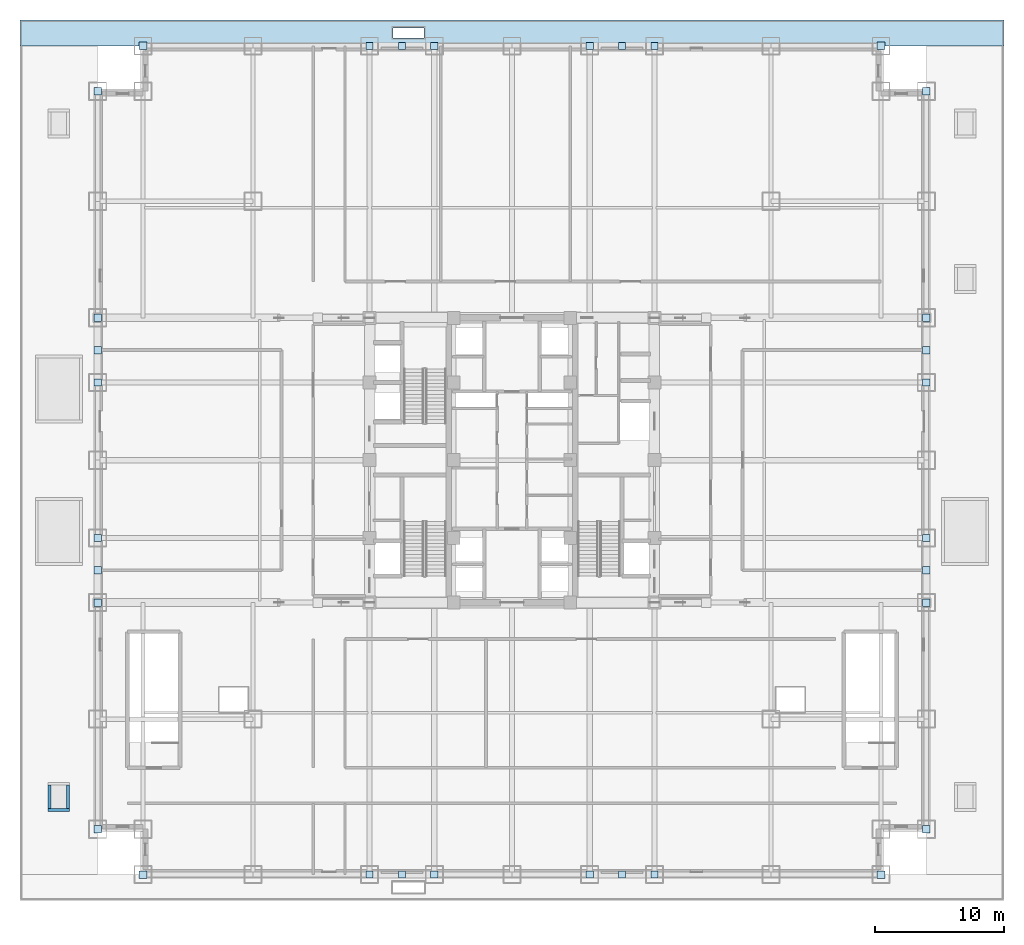
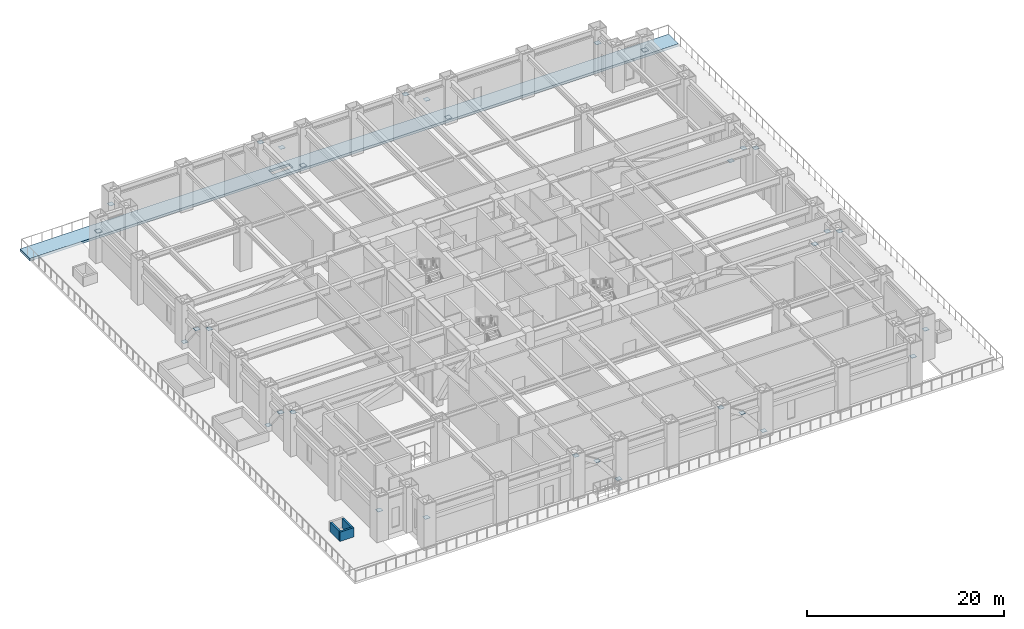
# One storey, part 10 of 21: 32 plates, 3 walls, 1 slab.
"""IFC4 building model written with IfcOpenShell, lengths in metres."""

from ifc_helpers import new_model, si_unit, direction, frame, frame_2d, origin, origin_2d, place, context, subcontext, project, spatial, polyline, rectangle, outline, extrude, source, transform, mapped, material, layer, layer_set, type_object, element, save


model = new_model("IFC4")

# Units and contexts
model_context = context("Model", 3, precision=1e-05, world=origin(), true_north=direction((0.0, 1.0)))
body_context = subcontext(model_context, "Body", "Model", "MODEL_VIEW")
ifc_project = project(units=[si_unit("LENGTHUNIT", "METRE"), si_unit("AREAUNIT", "SQUARE_METRE"), si_unit("VOLUMEUNIT", "CUBIC_METRE"), si_unit("PLANEANGLEUNIT", "RADIAN"), si_unit("MASSUNIT", "GRAM", prefix="KILO")], contexts=[model_context])

# Site, building, storey
site_placement = place(None, origin())
site = spatial("IfcSite", under=ifc_project, at=site_placement, CompositionType="ELEMENT")
building_placement = place(site_placement, origin())
building = spatial("IfcBuilding", under=site, at=building_placement, Name="Khorayat Bourse Tower", CompositionType="ELEMENT")
storey_placement = place(building_placement, frame((0.0, 0.0, 27.0)))
storey = spatial("IfcBuildingStorey", under=building, at=storey_placement, Name="L05", CompositionType="ELEMENT", Elevation=27.0)

# Slab
ifc_material_1 = material(Name="Concrete C40/50", Category="concrete")
ifc_layer_1 = layer(ifc_material_1, 0.300048828125)
ifc_layer_set_1 = layer_set([ifc_layer_1], Name="Concrete C40/50")
slab_type = type_object("IfcSlabType", Name="SLB-TERR-300", PredefinedType="FLOOR", material=ifc_layer_set_1)
slab_placement = place(storey_placement, frame((0.0, 0.0, -0.300048828125)))
element("IfcSlab", 1, at=slab_placement, inside=storey, type_object=slab_type, Name="L05 Planted Garden Terrace Slab 01", PredefinedType="FLOOR", context=body_context, shape_type="SweptSolid", body=[
    extrude(outline(polyline([(-38.0, 32.0), (38.0, 32.0), (38.0, 34.0), (-38.0, 34.0), (-38.0, 32.0)]), holes=[polyline([(-9.199951171875, 32.60009765625), (-6.800048828125, 32.60009765625), (-6.800048828125, 33.39990234375), (-9.199951171875, 33.39990234375), (-9.199951171875, 32.60009765625)])]), origin(), (0.0, 0.0, 1.0), 0.300048828125),
])

# Plates
ifc_material_2 = material(Name="Steel EN 10025-2 S355J2", Category="steel")
ifc_layer_2 = layer(ifc_material_2, 0.02490234375)
ifc_layer_set_2 = layer_set([ifc_layer_2], Name="Steel EN 10025-2 S355J2")
plate_type = type_object("IfcPlateType", Name="PLT-ENDCAP-25", PredefinedType="SHEET", material=ifc_layer_set_2)
shared_shape_1 = source(origin(), body_context, "Body", "SweptSolid", [
    extrude(rectangle(XDim=0.56005859375, YDim=0.56005859375, at=origin_2d()), origin(), (0.0, 0.0, 1.0), 0.02490234375),
])
for number, where, z_axis, x_axis, name in (
    (2, (-11.0, -32.0, 4.9775390625), (0.0, 0.0, 1.0), (1.0, 0.0, 0.0), "L05 Perimeter Brace End Plate 001"),
    (3, (-8.5, -32.0, 3.4375), (0.0, 0.0, 1.0), (1.0, 0.0, 0.0), "L05 Perimeter Brace End Plate 002"),
    (4, (-6.0, -32.0, 0.337646484375), (0.0, 0.0, 1.0), (1.0, 0.0, 0.0), "L05 Perimeter Brace End Plate 003"),
    (5, (6.0, -32.0, 4.9775390625), (0.0, 0.0, 1.0), (1.0, 0.0, 0.0), "L05 Perimeter Brace End Plate 004"),
    (6, (8.5, -32.0, 3.4375), (0.0, 0.0, 1.0), (1.0, 0.0, 0.0), "L05 Perimeter Brace End Plate 005"),
    (7, (11.0, -32.0, 0.337646484375), (0.0, 0.0, 1.0), (1.0, 0.0, 0.0), "L05 Perimeter Brace End Plate 006"),
    (8, (-11.0, 32.0, 4.9775390625), (0.0, 0.0, 1.0), (1.0, 0.0, 0.0), "L05 Perimeter Brace End Plate 007"),
    (9, (-8.5, 32.0, 3.4375), (0.0, 0.0, 1.0), (1.0, 0.0, 0.0), "L05 Perimeter Brace End Plate 008"),
    (10, (-6.0, 32.0, 0.337646484375), (0.0, 0.0, 1.0), (1.0, 0.0, 0.0), "L05 Perimeter Brace End Plate 009"),
    (11, (6.0, 32.0, 4.9775390625), (0.0, 0.0, 1.0), (1.0, 0.0, 0.0), "L05 Perimeter Brace End Plate 010"),
    (12, (8.5, 32.0, 3.4375), (0.0, 0.0, 1.0), (1.0, 0.0, 0.0), "L05 Perimeter Brace End Plate 011"),
    (13, (11.0, 32.0, 0.337646484375), (0.0, 0.0, 1.0), (1.0, 0.0, 0.0), "L05 Perimeter Brace End Plate 012"),
    (14, (-32.0, -11.0, 4.9775390625), (0.0, 0.0, 1.0), (1.0, 0.0, 0.0), "L05 Perimeter Brace End Plate 013"),
    (15, (-32.0, -8.5, 3.4375), (0.0, 0.0, 1.0), (1.0, 0.0, 0.0), "L05 Perimeter Brace End Plate 014"),
    (16, (-32.0, -6.0, 0.337646484375), (0.0, 0.0, 1.0), (1.0, 0.0, 0.0), "L05 Perimeter Brace End Plate 015"),
    (17, (-32.0, 6.0, 4.9775390625), (0.0, 0.0, 1.0), (1.0, 0.0, 0.0), "L05 Perimeter Brace End Plate 016"),
    (18, (-32.0, 8.5, 3.4375), (0.0, 0.0, 1.0), (1.0, 0.0, 0.0), "L05 Perimeter Brace End Plate 017"),
    (19, (-32.0, 11.0, 0.337646484375), (0.0, 0.0, 1.0), (1.0, 0.0, 0.0), "L05 Perimeter Brace End Plate 018"),
    (20, (32.0, -11.0, 4.9775390625), (0.0, 0.0, 1.0), (1.0, 0.0, 0.0), "L05 Perimeter Brace End Plate 019"),
    (21, (32.0, -8.5, 3.4375), (0.0, 0.0, 1.0), (1.0, 0.0, 0.0), "L05 Perimeter Brace End Plate 020"),
    (22, (32.0, -6.0, 0.337646484375), (0.0, 0.0, 1.0), (1.0, 0.0, 0.0), "L05 Perimeter Brace End Plate 021"),
    (23, (32.0, 6.0, 4.9775390625), (0.0, 0.0, 1.0), (1.0, 0.0, 0.0), "L05 Perimeter Brace End Plate 022"),
    (24, (32.0, 8.5, 3.4375), (0.0, 0.0, 1.0), (1.0, 0.0, 0.0), "L05 Perimeter Brace End Plate 023"),
    (25, (32.0, 11.0, 0.337646484375), (0.0, 0.0, 1.0), (1.0, 0.0, 0.0), "L05 Perimeter Brace End Plate 024"),
):
    element("IfcPlate", number, at=place(storey_placement, frame(where, z_axis=z_axis, x_axis=x_axis)), inside=storey, type_object=plate_type, Name=name, PredefinedType="SHEET", context=body_context, shape_type="MappedRepresentation", body=[
        mapped(shared_shape_1, transform((0.0, 0.0, 0.0), scale=1.0)),
    ])
shared_shape_2 = source(origin(), body_context, "Body", "SweptSolid", [
    extrude(rectangle(XDim=0.580078125, YDim=0.580078125, at=origin_2d()), origin(), (0.0, 0.0, 1.0), 0.02490234375),
])
for number, where, z_axis, x_axis, name in (
    (26, (-28.5, -32.0, 3.4375), (0.0, 0.0, 1.0), (1.0, 0.0, 0.0), "L05 Belt Truss Endcap Plate 025"),
    (27, (28.5, -32.0, 3.4375), (0.0, 0.0, 1.0), (1.0, 0.0, 0.0), "L05 Belt Truss Endcap Plate 026"),
    (28, (-28.5, 32.0, 3.4375), (0.0, 0.0, 1.0), (1.0, 0.0, 0.0), "L05 Belt Truss Endcap Plate 027"),
    (29, (28.5, 32.0, 3.4375), (0.0, 0.0, 1.0), (1.0, 0.0, 0.0), "L05 Belt Truss Endcap Plate 028"),
    (30, (-32.0, -28.5, 3.4375), (0.0, 0.0, 1.0), (1.0, 0.0, 0.0), "L05 Belt Truss Endcap Plate 029"),
    (31, (-32.0, 28.5, 3.4375), (0.0, 0.0, 1.0), (1.0, 0.0, 0.0), "L05 Belt Truss Endcap Plate 030"),
    (32, (32.0, -28.5, 3.4375), (0.0, 0.0, 1.0), (1.0, 0.0, 0.0), "L05 Belt Truss Endcap Plate 031"),
    (33, (32.0, 28.5, 3.4375), (0.0, 0.0, 1.0), (1.0, 0.0, 0.0), "L05 Belt Truss Endcap Plate 032"),
):
    element("IfcPlate", number, at=place(storey_placement, frame(where, z_axis=z_axis, x_axis=x_axis)), inside=storey, type_object=plate_type, Name=name, PredefinedType="SHEET", context=body_context, shape_type="MappedRepresentation", body=[
        mapped(shared_shape_2, transform((0.0, 0.0, 0.0), scale=1.0)),
    ])

# Walls
ifc_material_3 = material(Name="Precast concrete C45/55", Category="concrete")
ifc_layer_3 = layer(ifc_material_3, 0.219970703125)
ifc_layer_set_3 = layer_set([ifc_layer_3], Name="Precast concrete C45/55")
wall_type = type_object("IfcWallType", Name="WAL-PARAPET-220", PredefinedType="PARAPET", material=ifc_layer_set_3)
shared_shape_3 = source(origin(), body_context, "Body", "SweptSolid", [
    extrude(rectangle(XDim=1.64013671875, YDim=0.219970703125, at=frame_2d((0.820068359375, 0.0))), origin(), (0.0, 0.0, 1.0), 1.14990234375),
])
wall_placement = place(storey_placement, frame((-35.820068359375, -27.010009765625, 0.050048828125), z_axis=(0.0, 0.0, 1.0), x_axis=(1.0, 0.0, 0.0)))
element("IfcWall", 34, at=wall_placement, inside=storey, type_object=wall_type, Name="L05 Roof Opening Upstand Curb HT-ST1-S", PredefinedType="PARAPET", context=body_context, shape_type="MappedRepresentation", body=[
    mapped(shared_shape_3, transform((0.0, 0.0, 0.0), scale=1.0)),
])
shared_shape_4 = source(origin(), body_context, "Body", "SweptSolid", [
    extrude(rectangle(XDim=1.7998046875, YDim=0.219970703125, at=frame_2d((0.89990234375, 0.0))), origin(), (0.0, 0.0, 1.0), 1.14990234375),
])
for number, where, z_axis, x_axis, name in (
    (35, (-35.7099609375, -26.89990234375, 0.050048828125), (0.0, 0.0, 1.0), (0.0, 1.0, 0.0), "L05 Roof Opening Upstand Curb HT-ST1-W"),
    (36, (-34.2900390625, -26.89990234375, 0.050048828125), (0.0, 0.0, 1.0), (0.0, 1.0, 0.0), "L05 Roof Opening Upstand Curb HT-ST1-E"),
):
    element("IfcWall", number, at=place(storey_placement, frame(where, z_axis=z_axis, x_axis=x_axis)), inside=storey, type_object=wall_type, Name=name, PredefinedType="PARAPET", context=body_context, shape_type="MappedRepresentation", body=[
        mapped(shared_shape_4, transform((0.0, 0.0, 0.0), scale=1.0)),
    ])

save(model, "model.ifc")
